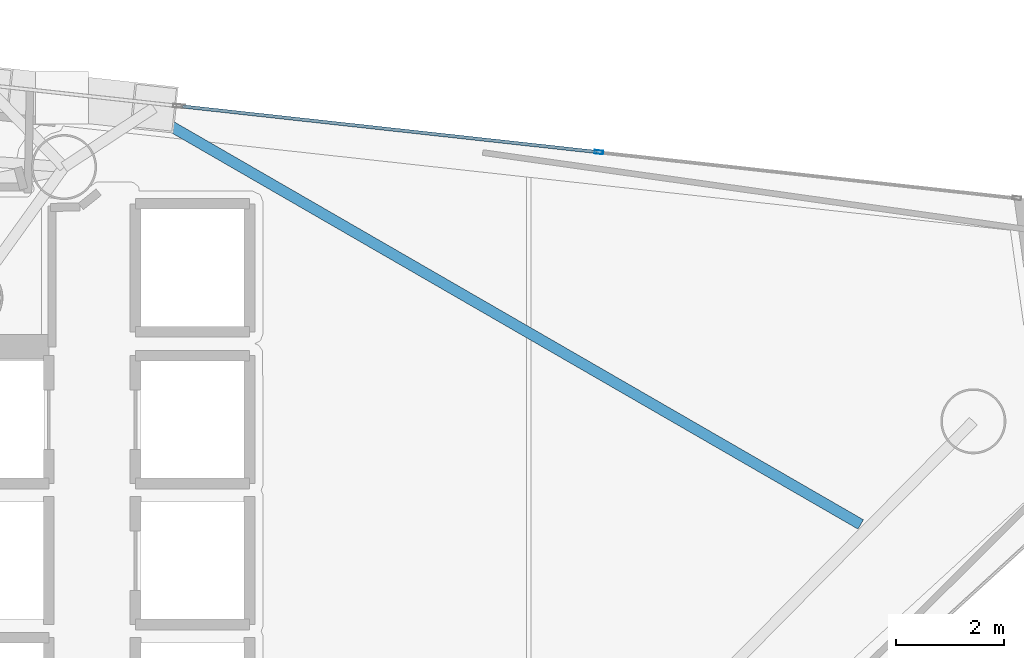
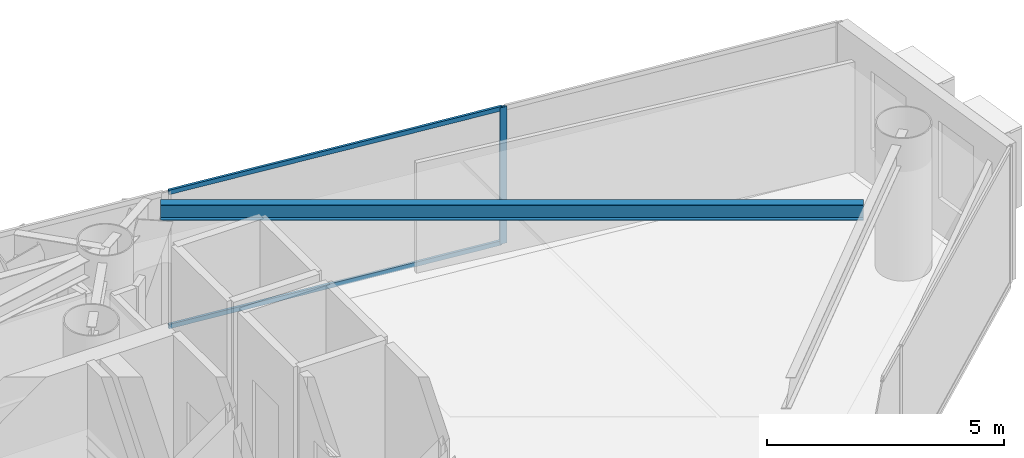
# One storey, part 15 of 24: 3 members, 1 beam, 1 element without a shape of its own.
"""IFC4 building model written with IfcOpenShell, lengths in metres."""

import ifcopenshell
import ifcopenshell.guid

model = None  # the IFC model being written
_history = None  # IfcOwnerHistory: only IFC2X3 demands one
_inside = {}  # id of a spatial element -> (the spatial element, [elements in it])
_under = {}  # id of a project, library or spatial element -> (it, [spatial elements below it])
_declared = {}  # id of a project -> (the project, [libraries it declares])
_typed = {}  # id of a type object -> (the type object, [elements of that type])
_made_of = {}  # id of a material, layer set ... -> (it, [elements and type objects made of it])


def new_model(schema):
    """Start an empty IFC model of exactly this schema.

    Asked for "IFC4X3", IfcOpenShell would pick the latest addendum, in which some entities
    have other attributes; the version numbers below select the first issue.
    IFC2X3 requires an IfcOwnerHistory on every rooted entity: one is made here for all.
    """
    global model, _history
    if schema == "IFC4X3":
        model = ifcopenshell.file(schema_version=(4, 3, 0, 0))
    else:
        model = ifcopenshell.file(schema=schema)
    _inside.clear()
    _under.clear()
    _declared.clear()
    _typed.clear()
    _made_of.clear()
    _history = None
    if model.schema == "IFC2X3":
        org = make("IfcOrganization", Name="unknown")
        user = make(
            "IfcPersonAndOrganization",
            ThePerson=make("IfcPerson", FamilyName="unknown"),
            TheOrganization=org,
        )
        app = make(
            "IfcApplication",
            ApplicationDeveloper=org,
            Version="unknown",
            ApplicationFullName="unknown",
            ApplicationIdentifier="unknown",
        )
        _history = make(
            "IfcOwnerHistory",
            OwningUser=user,
            OwningApplication=app,
            ChangeAction="ADDED",
            CreationDate=0,
        )
    return model


def make(cls, **values):
    """One entity of the class cls with the attributes given. An attribute that is None is left unset."""
    return model.create_entity(
        cls, **{name: value for name, value in values.items() if value is not None}
    )


def rooted(cls, **values):
    """An entity with a GlobalId (a new one), such as an element, a storey or a relation."""
    return make(cls, GlobalId=ifcopenshell.guid.new(), OwnerHistory=_history, **values)


def si_unit(unit_type, name, prefix=None):
    """IfcSIUnit, for example si_unit("LENGTHUNIT", "METRE", prefix="MILLI")."""
    return make("IfcSIUnit", UnitType=unit_type, Prefix=prefix, Name=name)


def assignment(units):
    """IfcUnitAssignment: the units of a project."""
    return None if units is None else make("IfcUnitAssignment", Units=units)


def point(xyz):
    """IfcCartesianPoint."""
    return None if xyz is None else make("IfcCartesianPoint", Coordinates=xyz)


def direction(xyz):
    """IfcDirection."""
    return None if xyz is None else make("IfcDirection", DirectionRatios=xyz)


def frame(location, z_axis=None, x_axis=None):
    """IfcAxis2Placement3D, a coordinate frame: its origin and axes. An axis left out is left unset."""
    return make(
        "IfcAxis2Placement3D",
        Location=point(location),
        Axis=direction(z_axis),
        RefDirection=direction(x_axis),
    )


def frame_2d(location, x_axis=None):
    """IfcAxis2Placement2D, a coordinate frame in the plane: its origin and x axis."""
    return make(
        "IfcAxis2Placement2D", Location=point(location), RefDirection=direction(x_axis)
    )


def origin():
    """The frame at (0, 0, 0) with its axes left unset."""
    return frame((0.0, 0.0, 0.0))


def origin_2d():
    """The frame at (0, 0) in the plane with its x axis left unset."""
    return frame_2d((0.0, 0.0))


def place(relative_to, where):
    """IfcLocalPlacement: puts the frame where relative to a parent placement (None: the world)."""
    return make(
        "IfcLocalPlacement", PlacementRelTo=relative_to, RelativePlacement=where
    )


def context(
    kind, dimensions, precision=None, world=None, true_north=None, identifier=None
):
    """IfcGeometricRepresentationContext, for example the 3D "Model" context."""
    return make(
        "IfcGeometricRepresentationContext",
        ContextIdentifier=identifier,
        ContextType=kind,
        CoordinateSpaceDimension=dimensions,
        Precision=precision,
        WorldCoordinateSystem=world,
        TrueNorth=true_north,
    )


def subcontext(parent, identifier, kind, view, scale=None):
    """IfcGeometricRepresentationSubContext, for example "Body" below "Model"."""
    return make(
        "IfcGeometricRepresentationSubContext",
        ContextIdentifier=identifier,
        ContextType=kind,
        ParentContext=parent,
        TargetScale=scale,
        TargetView=view,
    )


def project(units=None, contexts=None):
    """IfcProject with its units and contexts."""
    return rooted(
        "IfcProject",
        Name="project",
        RepresentationContexts=contexts,
        UnitsInContext=assignment(units),
    )


def spatial(cls, under=None, at=None, **own):
    """A site, building, storey or space (cls), placed at a placement, below another one or the project."""
    s = rooted(cls, ObjectPlacement=at, **own)
    if under is not None:
        _under.setdefault(under.id(), (under, []))[1].append(s)
    return s


def profile(cls, at=None, kind="AREA", **sizes):
    """A parametric profile (cls). Its sizes go by their IFC names, for example OverallWidth=200.0."""
    return make(cls, ProfileType=kind, Position=at, **sizes)


def hollow_rectangle(**sizes):
    """IfcRectangleHollowProfileDef."""
    return profile("IfcRectangleHollowProfileDef", **sizes)


def i_section(**sizes):
    """IfcIShapeProfileDef."""
    return profile("IfcIShapeProfileDef", **sizes)


def extrude(swept, where, along, depth):
    """IfcExtrudedAreaSolid: the profile swept, set in the frame where, extruded along a direction by depth."""
    return make(
        "IfcExtrudedAreaSolid",
        SweptArea=swept,
        Position=where,
        ExtrudedDirection=direction(along),
        Depth=depth,
    )


def shape(context_of_items, identifier, shape_type, items):
    """IfcShapeRepresentation: the items that make up one representation, for example the "Body"."""
    return make(
        "IfcShapeRepresentation",
        ContextOfItems=context_of_items,
        RepresentationIdentifier=identifier,
        RepresentationType=shape_type,
        Items=items,
    )


def material(Name=None, Category=None):
    """IfcMaterial."""
    return make("IfcMaterial", Name=Name, Category=Category)


def layer(
    of_material, thickness, ventilated=None, Name=None, Category=None, Priority=None
):
    """IfcMaterialLayer: one layer of a wall or slab, of a material (None: an air gap)."""
    return make(
        "IfcMaterialLayer",
        Material=of_material,
        LayerThickness=thickness,
        IsVentilated=ventilated,
        Name=Name,
        Category=Category,
        Priority=Priority,
    )


def layer_set(layers, Name=None):
    """IfcMaterialLayerSet."""
    return make("IfcMaterialLayerSet", MaterialLayers=layers, LayerSetName=Name)


def material_profile(
    of_material, cross_section, Name=None, Category=None, Priority=None
):
    """IfcMaterialProfile: a cross section and its material."""
    return make(
        "IfcMaterialProfile",
        Name=Name,
        Material=of_material,
        Profile=cross_section,
        Priority=Priority,
        Category=Category,
    )


def profile_set(profiles, Name=None, composite=None):
    """IfcMaterialProfileSet."""
    return make(
        "IfcMaterialProfileSet",
        Name=Name,
        MaterialProfiles=profiles,
        CompositeProfile=composite,
    )


def made_of(thing, what):
    """Note that an element or type object is made of a material, layer set ...; save() writes the relation."""
    if what is not None:
        _made_of.setdefault(what.id(), (what, []))[1].append(thing)
    return thing


def type_object(cls, material=None, **own):
    """A type object (cls), such as IfcWallType, which elements share."""
    return made_of(rooted(cls, **own), material)


def element(
    cls,
    number,
    at=None,
    inside=None,
    cuts=None,
    type_object=None,
    material=None,
    context=None,
    identifier="Body",
    shape_type=None,
    held_by="IfcProductDefinitionShape",
    body=None,
    shapes=None,
    **own,
):
    """One element of the class cls, such as IfcWall. Its Tag is "e" and its number.

    at: its placement. inside: the storey or other place that contains it. cuts: it is an
    opening in that element (IfcRelVoidsElement). A single representation is given by context,
    identifier, shape_type and body (its items); several are given by shapes. held_by: the class
    of the entity that holds the representations. save() writes the other relations.
    """
    e = rooted(cls, Tag="e%d" % number, ObjectPlacement=at, **own)
    if body is not None:
        shapes = [shape(context, identifier, shape_type, body)]
    if shapes is not None:
        e.Representation = make(held_by, Representations=shapes)
    if inside is not None:
        _inside.setdefault(inside.id(), (inside, []))[1].append(e)
    if cuts is not None:
        rooted(
            "IfcRelVoidsElement", RelatingBuildingElement=cuts, RelatedOpeningElement=e
        )
    if type_object is not None:
        _typed.setdefault(type_object.id(), (type_object, []))[1].append(e)
    return made_of(e, material)


def aggregate(whole, parts):
    """IfcRelAggregates: a whole, such as a stair, and the parts it consists of."""
    return rooted("IfcRelAggregates", RelatingObject=whole, RelatedObjects=parts)


def save(model, path):
    """Write the relations noted so far, then the file.

    IfcRelAggregates (storeys below a building ...), IfcRelContainedInSpatialStructure (elements
    in a storey), IfcRelDefinesByType, IfcRelAssociatesMaterial and IfcRelDeclares: one each for
    every whole, place, type object, material and project.
    """
    for whole, parts in _under.values():
        aggregate(whole, parts)
    for where, things in _inside.values():
        rooted(
            "IfcRelContainedInSpatialStructure",
            RelatedElements=things,
            RelatingStructure=where,
        )
    for kind, things in _typed.values():
        rooted("IfcRelDefinesByType", RelatedObjects=things, RelatingType=kind)
    for what, things in _made_of.values():
        rooted("IfcRelAssociatesMaterial", RelatedObjects=things, RelatingMaterial=what)
    for by, libraries in _declared.values():
        rooted("IfcRelDeclares", RelatingContext=by, RelatedDefinitions=libraries)
    model.write(path)


model = new_model("IFC4")

# Units and contexts
model_context = context("Model", 3, precision=1e-05, world=origin(), true_north=direction((0.0, 1.0)))
body_context = subcontext(model_context, "Body", "Model", "MODEL_VIEW")
ifc_project = project(units=[si_unit("LENGTHUNIT", "METRE"), si_unit("AREAUNIT", "SQUARE_METRE"), si_unit("VOLUMEUNIT", "CUBIC_METRE"), si_unit("PLANEANGLEUNIT", "RADIAN"), si_unit("MASSUNIT", "GRAM", prefix="KILO")], contexts=[model_context])

# Site, building, storey
site_placement = place(None, origin())
site = spatial("IfcSite", under=ifc_project, at=site_placement, CompositionType="ELEMENT")
building_placement = place(site_placement, origin())
building = spatial("IfcBuilding", under=site, at=building_placement, Name="Qianvela Tower", CompositionType="ELEMENT")
storey_placement = place(building_placement, frame((0.0, 0.0, 222.5)))
storey = spatial("IfcBuildingStorey", under=building, at=storey_placement, Name="L57", CompositionType="ELEMENT", Elevation=222.5)

# Beam
ifc_material_1 = material(Name="Steel Q355B", Category="steel")
ifc_material_profile_1 = material_profile(ifc_material_1, i_section(OverallWidth=0.199951171875, OverallDepth=0.39990234375, WebThickness=0.008056640625, FlangeThickness=0.012939453125, at=origin_2d()), Name="HN400x200x8x13")
ifc_profile_set_1 = profile_set([ifc_material_profile_1], Name="Steel Q355B")
beam_type = type_object("IfcBeamType", Name="BM-HN400-JOIST", PredefinedType="JOIST", material=ifc_profile_set_1)
beam_placement = place(storey_placement, frame((54.82080078125, 29.3681640625, 3.318115234375), z_axis=(-0.866035001061, 0.499983376661, 0.0), x_axis=(-0.499983376661, -0.866035001061, 0.0)))
element("IfcBeam", 1, at=beam_placement, inside=storey, type_object=beam_type, Name="L57 Bay Secondary Floor Joist 1", PredefinedType="JOIST", context=body_context, shape_type="SweptSolid", body=[
    extrude(i_section(OverallWidth=0.199951171875, OverallDepth=0.39990234375, WebThickness=0.008056640625, FlangeThickness=0.012939453125, at=origin_2d()), origin(), (0.0, 0.0, 1.0), 14.84912109375),
])

# Curtain wall, members
ifc_material_2 = material(Name="Anodised Architectural Aluminium and Low-E Glass", Category="aluminium")
ifc_layer = layer(ifc_material_2, 0.159912109375)
ifc_layer_set = layer_set([ifc_layer], Name="Anodised Architectural Aluminium and Low-E Glass")
curtain_wall_type = type_object("IfcCurtainWallType", Name="CW-COLIV-Z56", PredefinedType="USERDEFINED", material=ifc_layer_set)
curtain_wall_placement = place(storey_placement, origin())
curtain_wall = element("IfcCurtainWall", 2, at=curtain_wall_placement, inside=storey, type_object=curtain_wall_type, Name="L57 CW-COLIV-Z56 Curtain Wall 02A", ObjectType="CURTAIN_WALL_SYSTEM", PredefinedType="USERDEFINED")
ifc_material_3 = material(Name="Anodised Architectural Aluminium 6063-T6", Category="aluminium")
ifc_material_profile_2 = material_profile(ifc_material_3, hollow_rectangle(XDim=0.06494140625, YDim=0.159912109375, WallThickness=0.0048828125, at=origin_2d()), Name="ALU-MULL-65x160")
ifc_profile_set_2 = profile_set([ifc_material_profile_2], Name="Anodised Architectural Aluminium 6063-T6")
member_type_1 = type_object("IfcMemberType", Name="CW-COLIV-Z56-MULL", PredefinedType="MULLION", material=ifc_profile_set_2)
member_1_placement = place(storey_placement, frame((49.9921875, 36.2314453125, 0.0), z_axis=(0.0, 0.0, 1.0), x_axis=(-0.109261283012, -0.994013064318, 0.0)))
member_1 = element("IfcMember", 3, at=member_1_placement, type_object=member_type_1, Name="CW-5 mullion 2", PredefinedType="MULLION", context=body_context, shape_type="SweptSolid", body=[
    extrude(hollow_rectangle(XDim=0.06494140625, YDim=0.159912109375, WallThickness=0.0048828125, at=origin_2d()), origin(), (0.0, 0.0, 1.0), 3.52001953125),
])
ifc_material_4 = material(Name="Anodised Architectural Aluminium 6063-T6", Category="aluminium")
ifc_material_profile_3 = material_profile(ifc_material_4, hollow_rectangle(XDim=0.06005859375, YDim=0.114990234375, WallThickness=0.00390625, at=origin_2d()), Name="ALU-TRAN-60x115")
ifc_profile_set_3 = profile_set([ifc_material_profile_3], Name="Anodised Architectural Aluminium 6063-T6")
member_type_2 = type_object("IfcMemberType", Name="CW-COLIV-Z56-TRAN", PredefinedType="USERDEFINED", material=ifc_profile_set_3)
member_2_placement = place(storey_placement, frame((49.959716796875, 36.235107421875, 0.030029296875), z_axis=(-0.994014327175, 0.109249793459, 0.0), x_axis=(-0.109249793459, -0.994014327175, 0.0)))
member_2 = element("IfcMember", 4, at=member_2_placement, type_object=member_type_2, Name="CW-5 transom 2.1", ObjectType="TRANSOM", PredefinedType="USERDEFINED", context=body_context, shape_type="SweptSolid", body=[
    extrude(hollow_rectangle(XDim=0.06005859375, YDim=0.114990234375, WallThickness=0.00390625, at=origin_2d()), origin(), (0.0, 0.0, 1.0), 7.687255859375),
])
member_3_placement = place(storey_placement, frame((49.959716796875, 36.235107421875, 3.489990234375), z_axis=(-0.994014327175, 0.109249793459, 0.0), x_axis=(-0.109249793459, -0.994014327175, 0.0)))
member_3 = element("IfcMember", 5, at=member_3_placement, type_object=member_type_2, Name="CW-5 transom 2.2", ObjectType="TRANSOM", PredefinedType="USERDEFINED", context=body_context, shape_type="SweptSolid", body=[
    extrude(hollow_rectangle(XDim=0.06005859375, YDim=0.114990234375, WallThickness=0.00390625, at=origin_2d()), origin(), (0.0, 0.0, 1.0), 7.687255859375),
])
aggregate(curtain_wall, [member_1, member_2, member_3])

save(model, "model.ifc")
